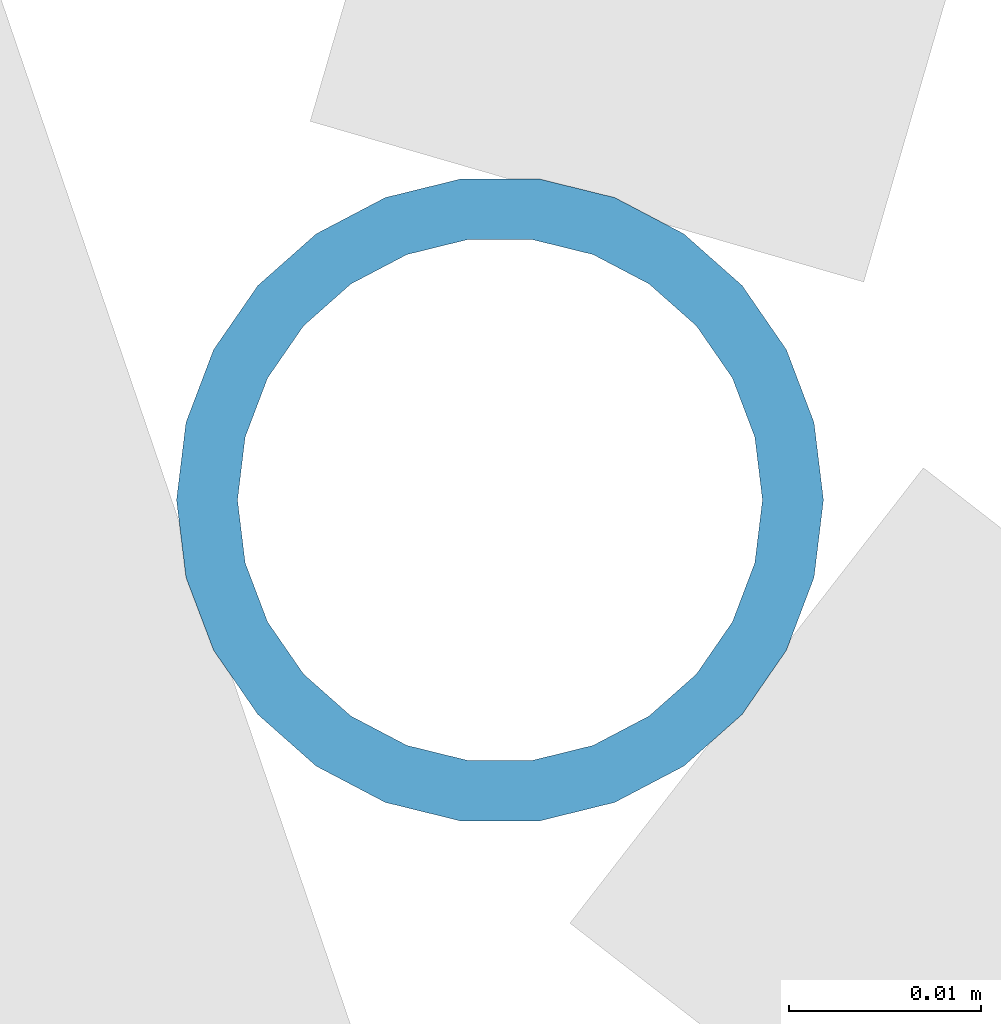
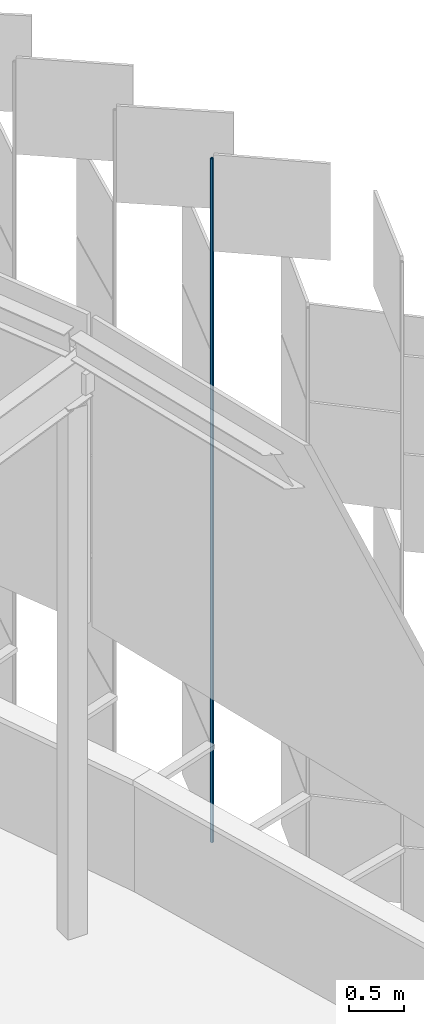
# One storey, part 296 of 483: 1 discrete accessory.
"""IFC4 building model written with IfcOpenShell, lengths in metres."""

from ifc_helpers import new_model, si_unit, direction, frame, origin, origin_2d, place, context, subcontext, project, spatial, hollow_circle, extrude, material, material_profile, profile_set, type_object, element, save


model = new_model("IFC4")

# Units and contexts
model_context = context("Model", 3, precision=1e-05, world=origin(), true_north=direction((0.0, 1.0)))
body_context = subcontext(model_context, "Body", "Model", "MODEL_VIEW")
ifc_project = project(units=[si_unit("LENGTHUNIT", "METRE"), si_unit("AREAUNIT", "SQUARE_METRE"), si_unit("VOLUMEUNIT", "CUBIC_METRE"), si_unit("PLANEANGLEUNIT", "RADIAN"), si_unit("MASSUNIT", "GRAM", prefix="KILO")], contexts=[model_context])

# Site, building, storey
site_placement = place(None, origin())
site = spatial("IfcSite", under=ifc_project, at=site_placement, CompositionType="ELEMENT")
building_placement = place(site_placement, origin())
building = spatial("IfcBuilding", under=site, at=building_placement, Name="Parallax Yard Mobility Hub", CompositionType="ELEMENT")
storey_placement = place(building_placement, frame((0.0, 0.0, 13.199951171875)))
storey = spatial("IfcBuildingStorey", under=building, at=storey_placement, Name="L04", CompositionType="ELEMENT", Elevation=13.199951171875)

# Discrete accessory
ifc_material = material(Name="Steel ASTM A500 Gr C, hot-dip galvanised", Category="steel")
ifc_material_profile = material_profile(ifc_material, hollow_circle(Radius=0.016845703125, WallThickness=0.003173828125, at=origin_2d()), Name="CHS 33.7x3.2")
ifc_profile_set = profile_set([ifc_material_profile], Name="Steel ASTM A500 Gr C, hot-dip galvanised")
discrete_accessory_type = type_object("IfcDiscreteAccessoryType", Name="Hinge post CHS 33.7x3.2", PredefinedType="BRACKET", material=ifc_profile_set)
discrete_accessory_placement = place(storey_placement, frame((223.21142578125, 106.485595703125, 0.0), z_axis=(0.0, 0.0, 1.0), x_axis=(1.0, 0.0, 0.0)))
element("IfcDiscreteAccessory", 1, at=discrete_accessory_placement, inside=storey, type_object=discrete_accessory_type, Name="Hinge post bay 43.1 level L04", PredefinedType="BRACKET", context=body_context, shape_type="SweptSolid", body=[
    extrude(hollow_circle(Radius=0.016845703125, WallThickness=0.003173828125, at=origin_2d()), origin(), (0.0, 0.0, 1.0), 7.650146484375),
])

save(model, "model.ifc")
